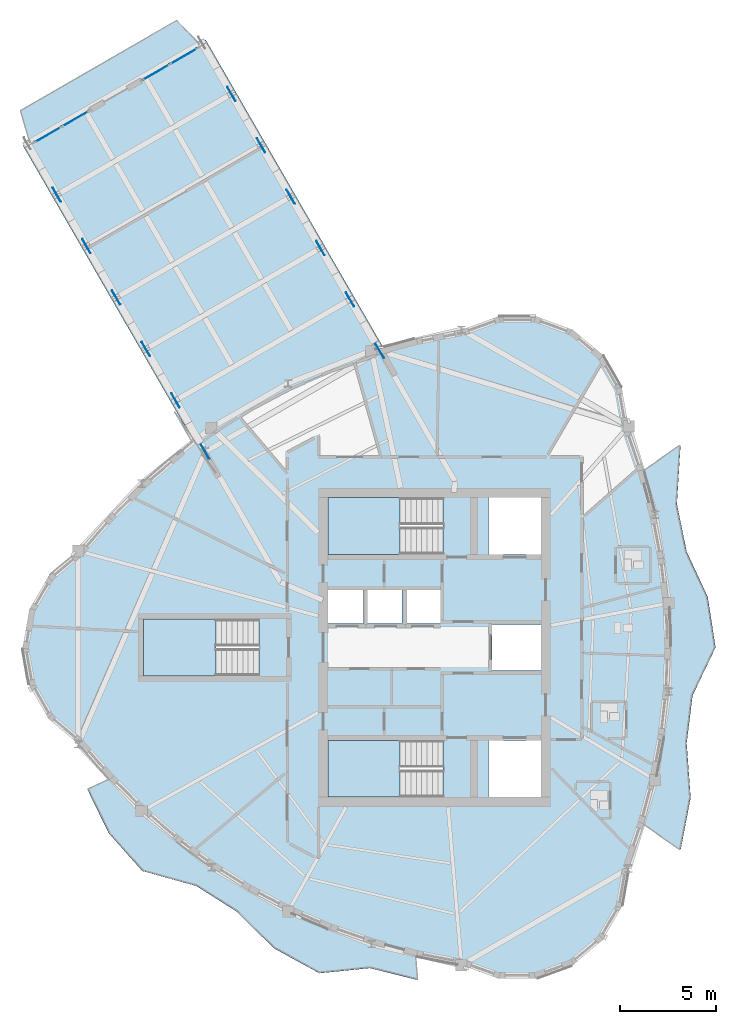
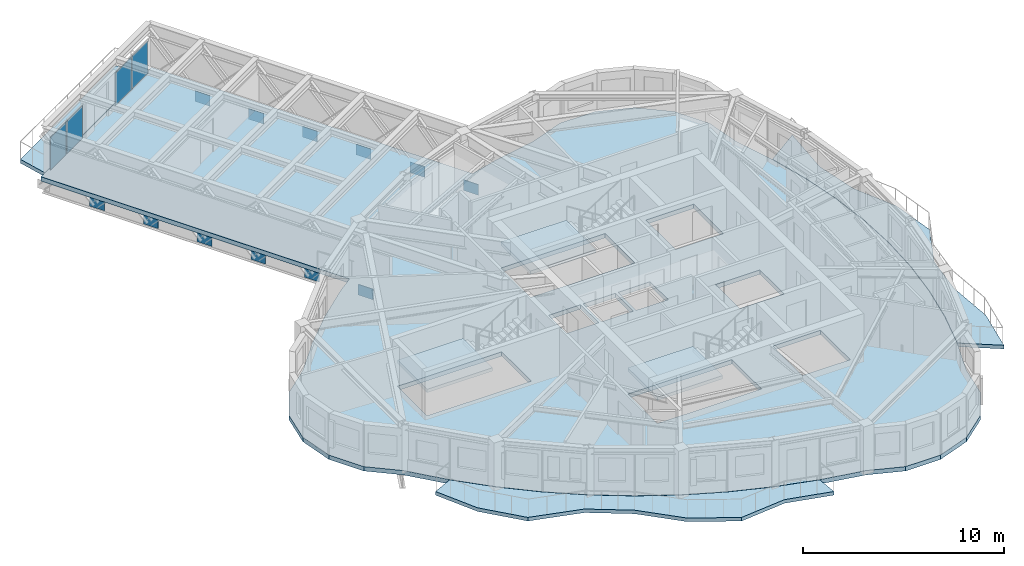
# One storey, part 4 of 14: 16 plates, 7 slabs, 5 elements without a shape of their own.
"""IFC4 building model written with IfcOpenShell, lengths in metres."""

from ifc_helpers import new_model, si_unit, direction, frame, origin, origin_2d, place, context, subcontext, project, spatial, polyline, rectangle, outline, extrude, source, transform, mapped, material, layer, layer_set, type_object, element, aggregate, save


model = new_model("IFC4")

# Units and contexts
model_context = context("Model", 3, precision=1e-05, world=origin(), true_north=direction((0.0, 1.0)))
body_context = subcontext(model_context, "Body", "Model", "MODEL_VIEW")
ifc_project = project(units=[si_unit("LENGTHUNIT", "METRE"), si_unit("AREAUNIT", "SQUARE_METRE"), si_unit("VOLUMEUNIT", "CUBIC_METRE"), si_unit("PLANEANGLEUNIT", "RADIAN"), si_unit("MASSUNIT", "GRAM", prefix="KILO")], contexts=[model_context])

# Site, building, storey
site_placement = place(None, origin())
site = spatial("IfcSite", under=ifc_project, at=site_placement, CompositionType="ELEMENT")
building_placement = place(site_placement, origin())
building = spatial("IfcBuilding", under=site, at=building_placement, Name="Qafzar Sky-Pleat Residences", CompositionType="ELEMENT")
storey_placement = place(building_placement, frame((0.0, 0.0, 205.199951171875)))
storey = spatial("IfcBuildingStorey", under=building, at=storey_placement, Name="L61", CompositionType="ELEMENT", Elevation=205.199951171875)

# Slabs
ifc_material_1 = material(Name="Concrete C40/50", Category="concrete")
ifc_layer_1 = layer(ifc_material_1, 0.219970703125)
ifc_layer_set_1 = layer_set([ifc_layer_1], Name="Concrete C40/50")
slab_type_1 = type_object("IfcSlabType", Name="SLAB-BAL-220", PredefinedType="USERDEFINED", material=ifc_layer_set_1)
slab_1_placement = place(storey_placement, frame((0.0, 0.0, -0.219970703125)))
element("IfcSlab", 1, at=slab_1_placement, inside=storey, type_object=slab_type_1, Name="L61 Pleated Stone Balcony 1", ObjectType="BALCONY", PredefinedType="USERDEFINED", context=body_context, shape_type="SweptSolid", body=[
    extrude(outline(polyline([(41.8642578125, 19.0810546875), (42.302978515625, 21.38720703125), (42.566162109375, 23.693603515625), (42.65380859375, 26.0), (42.566162109375, 28.306396484375), (42.302978515625, 30.61279296875), (41.8642578125, 32.9189453125), (41.25048828125, 35.224853515625), (43.163330078125, 36.556640625), (42.97216796875, 33.4716796875), (43.481201171875, 30.99267578125), (44.5791015625, 28.625), (44.984619140625, 26.0), (43.788818359375, 23.5), (43.481201171875, 21.00732421875), (43.68798828125, 18.171142578125), (43.163330078125, 15.443359375), (41.25048828125, 16.775146484375), (41.8642578125, 19.0810546875)])), origin(), (0.0, 0.0, 1.0), 0.219970703125),
])
slab_2_placement = place(storey_placement, frame((0.0, 0.0, -0.219970703125)))
element("IfcSlab", 2, at=slab_2_placement, inside=storey, type_object=slab_type_1, Name="L61 Pleated Stone Balcony 2", ObjectType="BALCONY", PredefinedType="USERDEFINED", context=body_context, shape_type="SweptSolid", body=[
    extrude(outline(polyline([(15.075927734375, 17.452392578125), (16.85400390625, 15.919677734375), (18.719482421875, 14.53857421875), (20.673095703125, 13.3095703125), (22.71435546875, 12.232177734375), (24.84326171875, 11.306884765625), (27.059814453125, 10.53369140625), (29.36376953125, 9.912353515625), (29.46826171875, 8.6787109375), (26.984619140625, 9.298095703125), (24.353759765625, 9.028076171875), (21.98388671875, 10.32958984375), (20.05419921875, 12.2373046875), (17.940673828125, 13.576416015625), (15.125244140625, 14.356201171875), (13.3759765625, 16.328369140625), (12.26513671875, 18.611083984375), (13.3857421875, 19.13720703125), (15.075927734375, 17.452392578125)])), origin(), (0.0, 0.0, 1.0), 0.219970703125),
])
ifc_layer_2 = layer(ifc_material_1, 0.22998046875)
ifc_layer_set_2 = layer_set([ifc_layer_2], Name="Concrete C40/50")
slab_type_2 = type_object("IfcSlabType", Name="SLAB-BAL-230", PredefinedType="USERDEFINED", material=ifc_layer_set_2)
slab_3_placement = place(storey_placement, frame((0.0, 0.0, -0.22998046875)))
element("IfcSlab", 3, at=slab_3_placement, inside=storey, type_object=slab_type_2, Name="L61 SB-5 Tip Observation Balcony", ObjectType="BALCONY", PredefinedType="USERDEFINED", context=body_context, shape_type="SweptSolid", body=[
    extrude(outline(polyline([(18.084716796875, 57.444091796875), (16.9208984375, 58.659912109375), (8.7802734375, 53.9599609375), (9.251220703125, 52.343994140625), (18.084716796875, 57.444091796875)])), origin(), (0.0, 0.0, 1.0), 0.22998046875),
])

# Stair, slab
stair_type = type_object("IfcStairType", Name="STAIR-H320", PredefinedType="HALF_TURN_STAIR", material=ifc_material_1)
stair_1_placement = place(storey_placement, origin())
stair_1 = element("IfcStair", 4, at=stair_1_placement, inside=storey, type_object=stair_type, Name="L61 Protected Exit Stair ST1", PredefinedType="HALF_TURN_STAIR")
ifc_layer_3 = layer(ifc_material_1, 0.199951171875)
ifc_layer_set_3 = layer_set([ifc_layer_3], Name="Concrete C40/50")
slab_type_3 = type_object("IfcSlabType", Name="SLAB-LANDING-200", PredefinedType="LANDING", material=ifc_layer_set_3)
slab_4_placement = place(storey_placement, frame((0.0, 0.0, 1.400146484375)))
slab_4 = element("IfcSlab", 5, at=slab_4_placement, type_object=slab_type_3, Name="ST1 landing 1", PredefinedType="LANDING", context=body_context, shape_type="SweptSolid", body=[
    extrude(outline(polyline([(28.56005859375, 21.14990234375), (24.800048828125, 21.14990234375), (24.800048828125, 18.199951171875), (28.56005859375, 18.199951171875), (28.56005859375, 21.14990234375)])), origin(), (0.0, 0.0, 1.0), 0.199951171875),
])
aggregate(stair_1, [slab_4])

stair_2_placement = place(storey_placement, origin())
stair_2 = element("IfcStair", 6, at=stair_2_placement, inside=storey, type_object=stair_type, Name="L61 Protected Exit Stair ST2", PredefinedType="HALF_TURN_STAIR")
slab_5_placement = place(storey_placement, frame((0.0, 0.0, 1.400146484375)))
slab_5 = element("IfcSlab", 7, at=slab_5_placement, type_object=slab_type_3, Name="ST2 landing 1", PredefinedType="LANDING", context=body_context, shape_type="SweptSolid", body=[
    extrude(outline(polyline([(28.56005859375, 33.800048828125), (24.800048828125, 33.800048828125), (24.800048828125, 30.85009765625), (28.56005859375, 30.85009765625), (28.56005859375, 33.800048828125)])), origin(), (0.0, 0.0, 1.0), 0.199951171875),
])
aggregate(stair_2, [slab_5])

stair_3_placement = place(storey_placement, origin())
stair_3 = element("IfcStair", 8, at=stair_3_placement, inside=storey, type_object=stair_type, Name="L61 Protected Exit Stair ST3", PredefinedType="HALF_TURN_STAIR")
slab_6_placement = place(storey_placement, frame((0.0, 0.0, 1.400146484375)))
slab_6 = element("IfcSlab", 9, at=slab_6_placement, type_object=slab_type_3, Name="ST3 landing 1", PredefinedType="LANDING", context=body_context, shape_type="SweptSolid", body=[
    extrude(outline(polyline([(18.9599609375, 27.47509765625), (15.199951171875, 27.47509765625), (15.199951171875, 24.52490234375), (18.9599609375, 24.52490234375), (18.9599609375, 27.47509765625)])), origin(), (0.0, 0.0, 1.0), 0.199951171875),
])
aggregate(stair_3, [slab_6])

# Slab
ifc_layer_4 = layer(ifc_material_1, 0.264892578125)
ifc_layer_set_4 = layer_set([ifc_layer_4], Name="Concrete C40/50")
slab_type_4 = type_object("IfcSlabType", Name="SLAB-SB-265", PredefinedType="FLOOR", material=ifc_layer_set_4)
slab_7_placement = place(storey_placement, frame((0.0, 0.0, -0.264892578125)))
element("IfcSlab", 10, at=slab_7_placement, inside=storey, type_object=slab_type_4, Name="L61 Structural Floor Slab", PredefinedType="FLOOR", context=body_context, shape_type="SweptSolid", body=[
    extrude(outline(polyline([(29.36279296875, 42.07568359375), (31.75244140625, 42.54541015625), (33.645263671875, 43.234375), (35.65966796875, 43.234375), (37.552490234375, 42.54541015625), (39.095703125, 41.25048828125), (40.102783203125, 39.506103515625), (40.452392578125, 37.5224609375), (41.240478515625, 35.218017578125), (41.853515625, 32.91357421875), (42.29150390625, 30.60888671875), (42.55419921875, 28.304443359375), (42.641845703125, 26.0), (42.55419921875, 23.695556640625), (42.29150390625, 21.39111328125), (41.853515625, 19.08642578125), (41.240478515625, 16.781982421875), (40.452392578125, 14.4775390625), (40.102783203125, 12.493896484375), (39.095703125, 10.74951171875), (37.552490234375, 9.45458984375), (35.65966796875, 8.765625), (33.645263671875, 8.765625), (31.75244140625, 9.45458984375), (29.36279296875, 9.92431640625), (27.060302734375, 10.545654296875), (24.845703125, 11.318603515625), (22.71875, 12.243408203125), (20.67919921875, 13.31982421875), (18.727294921875, 14.5478515625), (16.86279296875, 15.927734375), (15.0859375, 17.458984375), (13.396728515625, 19.142333984375), (11.794921875, 20.97705078125), (10.251953125, 22.271728515625), (9.244873046875, 24.016357421875), (8.89501953125, 26.0), (9.244873046875, 27.983642578125), (10.251953125, 29.728271484375), (11.794921875, 31.02294921875), (13.396728515625, 32.857666015625), (15.0859375, 34.541015625), (16.86279296875, 36.072265625), (17.788330078125, 36.75732421875), (8.912353515625, 52.131103515625), (18.438720703125, 57.631103515625), (27.681396484375, 41.621826171875), (29.36279296875, 42.07568359375)]), holes=[polyline([(30.797119140625, 21.14990234375), (24.800048828125, 21.14990234375), (24.800048828125, 18.199951171875), (30.797119140625, 18.199951171875), (30.797119140625, 21.14990234375)]), polyline([(30.797119140625, 33.800048828125), (24.800048828125, 33.800048828125), (24.800048828125, 30.85009765625), (30.797119140625, 30.85009765625), (30.797119140625, 33.800048828125)]), polyline([(21.197021484375, 27.47509765625), (15.199951171875, 27.47509765625), (15.199951171875, 24.52490234375), (21.197021484375, 24.52490234375), (21.197021484375, 27.47509765625)]), polyline([(24.800048828125, 27.25), (26.64990234375, 27.25), (26.64990234375, 29.050048828125), (24.800048828125, 29.050048828125), (24.800048828125, 27.25)]), polyline([(26.800048828125, 27.25), (28.64990234375, 27.25), (28.64990234375, 29.050048828125), (26.800048828125, 29.050048828125), (26.800048828125, 27.25)]), polyline([(28.800048828125, 27.25), (30.64990234375, 27.25), (30.64990234375, 29.050048828125), (28.800048828125, 29.050048828125), (28.800048828125, 27.25)]), polyline([(33.14990234375, 18.199951171875), (35.89990234375, 18.199951171875), (35.89990234375, 21.14990234375), (33.14990234375, 21.14990234375), (33.14990234375, 18.199951171875)]), polyline([(33.14990234375, 30.85009765625), (35.89990234375, 30.85009765625), (35.89990234375, 33.800048828125), (33.14990234375, 33.800048828125), (33.14990234375, 30.85009765625)]), polyline([(33.35009765625, 24.800048828125), (35.89990234375, 24.800048828125), (35.89990234375, 27.199951171875), (33.35009765625, 27.199951171875), (33.35009765625, 24.800048828125)])]), origin(), (0.0, 0.0, 1.0), 0.264892578125),
])

# Plates
ifc_material_2 = material(Name="Steel S355", Category="steel")
ifc_layer_5 = layer(ifc_material_2, 0.034912109375)
ifc_layer_set_5 = layer_set([ifc_layer_5], Name="Steel S355")
plate_type_1 = type_object("IfcPlateType", Name="PLT-NODE-SBN1", PredefinedType="SHEET", material=ifc_layer_set_5)
shared_shape_1 = source(origin(), body_context, "Body", "SweptSolid", [
    extrude(rectangle(XDim=0.85009765625, YDim=0.034912109375, at=origin_2d()), origin(), (0.0, 0.0, 1.0), 0.64990234375),
])
for number, where, z_axis, x_axis, name in (
    (11, (18.4033203125, 36.192138671875, -0.989990234375), (0.0, 0.0, 1.0), (-0.5, 0.866025403784, 0.0), "SB-5 Truss Node Plate L0"),
    (12, (16.857666015625, 38.869384765625, -0.989990234375), (0.0, 0.0, 1.0), (-0.5, 0.866025403784, 0.0), "SB-5 Truss Node Plate L1"),
    (13, (15.31201171875, 41.546875, -0.989990234375), (0.0, 0.0, 1.0), (-0.5, 0.866025403784, 0.0), "SB-5 Truss Node Plate L2"),
    (14, (13.76611328125, 44.22412109375, -0.989990234375), (0.0, 0.0, 1.0), (-0.5, 0.866025403784, 0.0), "SB-5 Truss Node Plate L3"),
    (15, (12.220458984375, 46.9013671875, -0.989990234375), (0.0, 0.0, 1.0), (-0.5, 0.866025403784, 0.0), "SB-5 Truss Node Plate L4"),
    (16, (10.6748046875, 49.57861328125, -0.989990234375), (0.0, 0.0, 1.0), (-0.5, 0.866025403784, 0.0), "SB-5 Truss Node Plate L5"),
    (17, (27.49658203125, 41.442138671875, -0.989990234375), (0.0, 0.0, 1.0), (-0.5, 0.866025403784, 0.0), "SB-5 Truss Node Plate R0"),
    (18, (25.950927734375, 44.119384765625, -0.989990234375), (0.0, 0.0, 1.0), (-0.5, 0.866025403784, 0.0), "SB-5 Truss Node Plate R1"),
    (19, (24.405029296875, 46.796875, -0.989990234375), (0.0, 0.0, 1.0), (-0.5, 0.866025403784, 0.0), "SB-5 Truss Node Plate R2"),
    (20, (22.859375, 49.47412109375, -0.989990234375), (0.0, 0.0, 1.0), (-0.5, 0.866025403784, 0.0), "SB-5 Truss Node Plate R3"),
    (21, (21.313720703125, 52.1513671875, -0.989990234375), (0.0, 0.0, 1.0), (-0.5, 0.866025403784, 0.0), "SB-5 Truss Node Plate R4"),
    (22, (19.767822265625, 54.82861328125, -0.989990234375), (0.0, 0.0, 1.0), (-0.5, 0.866025403784, 0.0), "SB-5 Truss Node Plate R5"),
):
    element("IfcPlate", number, at=place(storey_placement, frame(where, z_axis=z_axis, x_axis=x_axis)), inside=storey, type_object=plate_type_1, Name=name, PredefinedType="SHEET", context=body_context, shape_type="MappedRepresentation", body=[
        mapped(shared_shape_1, transform((0.0, 0.0, 0.0), x_axis=(1.0, 0.0, 0.0), y_axis=(0.0, 1.0, 0.0), z_axis=(0.0, 0.0, 1.0), scale=1.0)),
    ])

# Curtain wall, plates
ifc_material_3 = material(Name="Anodised bronze aluminium framing", Category="aluminium")
ifc_layer_6 = layer(ifc_material_3, 0.239990234375)
ifc_layer_set_6 = layer_set([ifc_layer_6], Name="Anodised bronze aluminium framing")
curtain_wall_type_1 = type_object("IfcCurtainWallType", Name="CW-SYS-02", PredefinedType="NOTDEFINED", material=ifc_layer_set_6)
curtain_wall_1_placement = place(storey_placement, origin())
curtain_wall_1 = element("IfcCurtainWall", 23, at=curtain_wall_1_placement, inside=storey, type_object=curtain_wall_type_1, Name="L61 CW-02 Curtain Wall CW-L61-SB-5-PROW-L", PredefinedType="NOTDEFINED")
ifc_material_4 = material(Name="Solar-control double low-E glazing", Category="glass")
ifc_layer_7 = layer(ifc_material_4, 0.031982421875)
ifc_layer_set_7 = layer_set([ifc_layer_7], Name="Solar-control double low-E glazing")
plate_type_2 = type_object("IfcPlateType", Name="CWP-02", PredefinedType="CURTAIN_PANEL", material=ifc_layer_set_7)
shared_shape_2 = source(origin(), body_context, "Body", "SweptSolid", [
    extrude(rectangle(XDim=1.57763671875, YDim=0.031982421875, at=origin_2d()), origin(), (0.0, 0.0, 1.0), 1.965087890625),
])
plate_1_placement = place(storey_placement, frame((10.220458984375, 52.712890625, 0.0751953125), z_axis=(0.0, 0.0, 1.0), x_axis=(0.866027928541, 0.499995626969, 0.0)))
plate_1 = element("IfcPlate", 24, at=plate_1_placement, type_object=plate_type_2, Name="CW-02 panel 1.1", PredefinedType="CURTAIN_PANEL", context=body_context, shape_type="MappedRepresentation", body=[
    mapped(shared_shape_2, transform((0.0, 0.0, 0.0), x_axis=(1.0, 0.0, 0.0), y_axis=(0.0, 1.0, 0.0), z_axis=(0.0, 0.0, 1.0), scale=1.0)),
])
plate_2_placement = place(storey_placement, frame((11.651611328125, 53.539306640625, 0.0751953125), z_axis=(0.0, 0.0, 1.0), x_axis=(0.866027928541, 0.499995626969, 0.0)))
plate_2 = element("IfcPlate", 25, at=plate_2_placement, type_object=plate_type_2, Name="CW-02 panel 2.1", PredefinedType="CURTAIN_PANEL", context=body_context, shape_type="MappedRepresentation", body=[
    mapped(shared_shape_2, transform((0.0, 0.0, 0.0), x_axis=(1.0, 0.0, 0.0), y_axis=(0.0, 1.0, 0.0), z_axis=(0.0, 0.0, 1.0), scale=1.0)),
])
aggregate(curtain_wall_1, [plate_1, plate_2])

ifc_layer_8 = layer(ifc_material_3, 0.219970703125)
ifc_layer_set_8 = layer_set([ifc_layer_8], Name="Anodised bronze aluminium framing")
curtain_wall_type_2 = type_object("IfcCurtainWallType", Name="CW-SYS-03", PredefinedType="NOTDEFINED", material=ifc_layer_set_8)
curtain_wall_2_placement = place(storey_placement, origin())
curtain_wall_2 = element("IfcCurtainWall", 26, at=curtain_wall_2_placement, inside=storey, type_object=curtain_wall_type_2, Name="L61 CW-03 Curtain Wall CW-L61-SB-5-PROW-R", PredefinedType="NOTDEFINED")
ifc_layer_9 = layer(ifc_material_4, 0.030029296875)
ifc_layer_set_9 = layer_set([ifc_layer_9], Name="Solar-control double low-E glazing")
plate_type_3 = type_object("IfcPlateType", Name="CWP-03", PredefinedType="CURTAIN_PANEL", material=ifc_layer_set_9)
shared_shape_3 = source(origin(), body_context, "Body", "SweptSolid", [
    extrude(rectangle(XDim=1.5849609375, YDim=0.030029296875, at=origin_2d()), origin(), (0.0, 0.0, 1.0), 1.97509765625),
])
plate_3_placement = place(storey_placement, frame((15.848388671875, 55.96240234375, 0.070068359375), z_axis=(0.0, 0.0, 1.0), x_axis=(0.866027928541, 0.499995626969, 0.0)))
plate_3 = element("IfcPlate", 27, at=plate_3_placement, type_object=plate_type_3, Name="CW-03 panel 1.1", PredefinedType="CURTAIN_PANEL", context=body_context, shape_type="MappedRepresentation", body=[
    mapped(shared_shape_3, transform((0.0, 0.0, 0.0), x_axis=(1.0, 0.0, 0.0), y_axis=(0.0, 1.0, 0.0), z_axis=(0.0, 0.0, 1.0), scale=1.0)),
])
plate_4_placement = place(storey_placement, frame((17.28173828125, 56.789794921875, 0.070068359375), z_axis=(0.0, 0.0, 1.0), x_axis=(0.866027928541, 0.499995626969, 0.0)))
plate_4 = element("IfcPlate", 28, at=plate_4_placement, type_object=plate_type_3, Name="CW-03 panel 2.1", PredefinedType="CURTAIN_PANEL", context=body_context, shape_type="MappedRepresentation", body=[
    mapped(shared_shape_3, transform((0.0, 0.0, 0.0), x_axis=(1.0, 0.0, 0.0), y_axis=(0.0, 1.0, 0.0), z_axis=(0.0, 0.0, 1.0), scale=1.0)),
])
aggregate(curtain_wall_2, [plate_3, plate_4])

save(model, "model.ifc")
